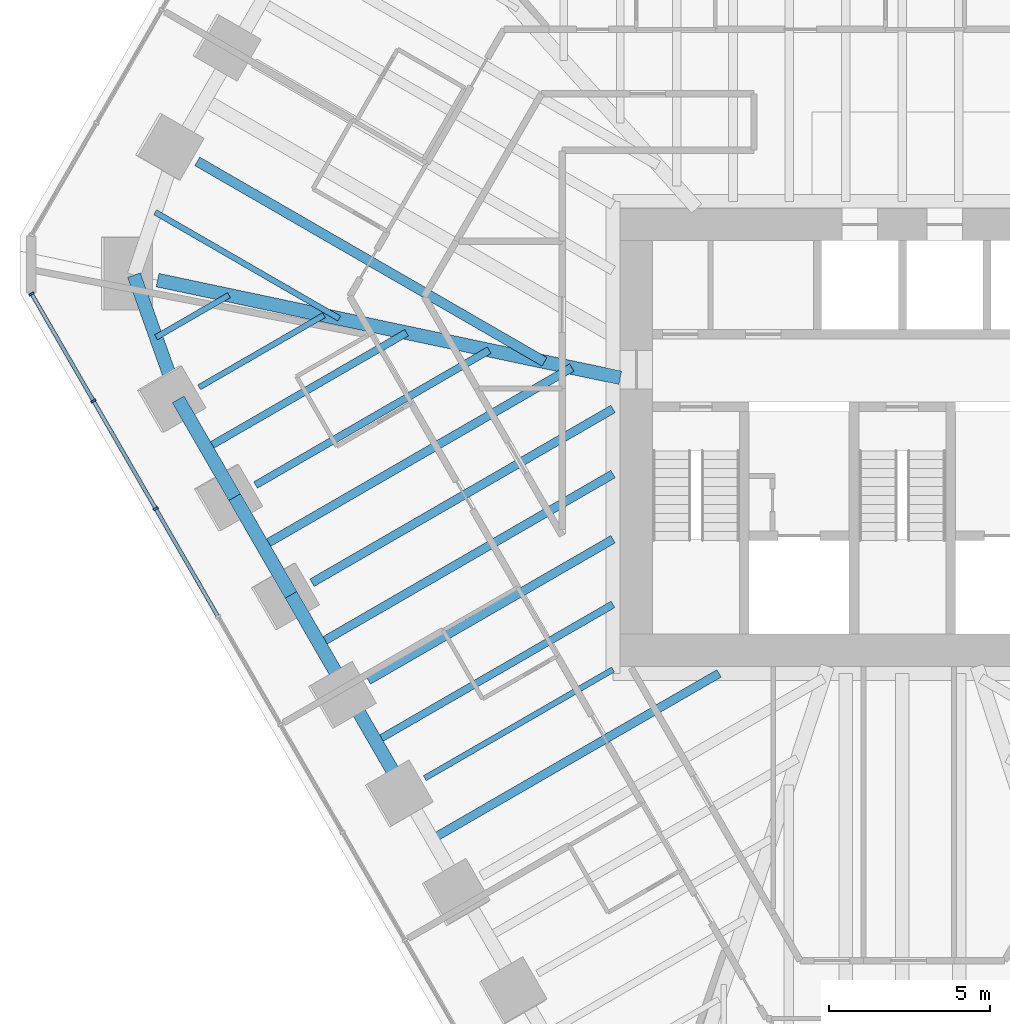
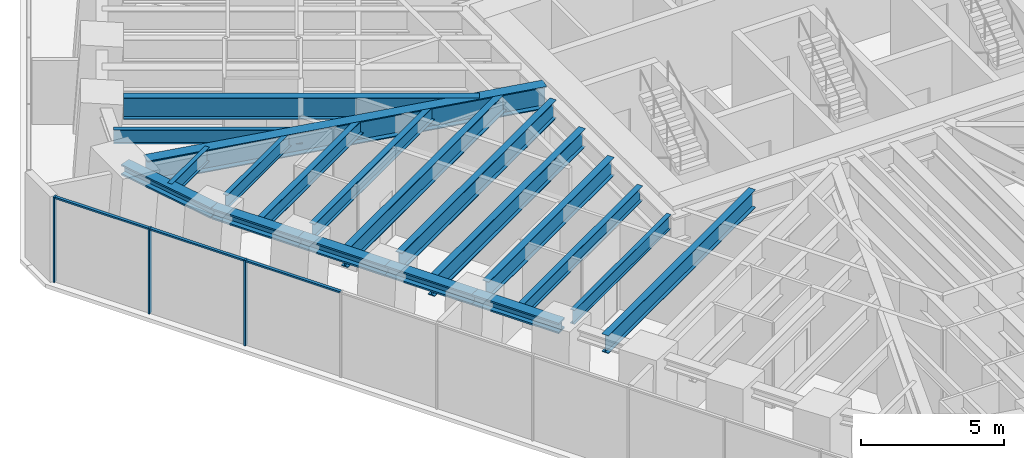
# One storey, part 3 of 16: 19 beams, 6 members, 1 element without a shape of its own.
"""IFC4 building model written with IfcOpenShell, lengths in metres."""

from ifc_helpers import new_model, si_unit, direction, frame, origin, origin_2d, place, context, subcontext, project, spatial, rectangle, i_section, extrude, material, material_profile, profile_set, type_object, element, aggregate, save


model = new_model("IFC4")

# Units and contexts
model_context = context("Model", 3, precision=1e-05, world=origin(), true_north=direction((0.0, 1.0)))
body_context = subcontext(model_context, "Body", "Model", "MODEL_VIEW")
ifc_project = project(units=[si_unit("LENGTHUNIT", "METRE"), si_unit("AREAUNIT", "SQUARE_METRE"), si_unit("VOLUMEUNIT", "CUBIC_METRE"), si_unit("PLANEANGLEUNIT", "RADIAN"), si_unit("MASSUNIT", "GRAM", prefix="KILO")], contexts=[model_context])

# Site, building, storey
site_placement = place(None, origin())
site = spatial("IfcSite", under=ifc_project, at=site_placement, CompositionType="ELEMENT")
building_placement = place(site_placement, origin())
building = spatial("IfcBuilding", under=site, at=building_placement, Name="Sandreach Pilgrim Tower", CompositionType="ELEMENT")
storey_placement = place(building_placement, frame((0.0, 0.0, 247.800048828125)))
storey = spatial("IfcBuildingStorey", under=building, at=storey_placement, Name="L62", CompositionType="ELEMENT", Elevation=247.800048828125)

# Beams
ifc_material_1 = material(Name="Steel ASTM A913 Grade 65", Category="steel")
ifc_material_profile_1 = material_profile(ifc_material_1, i_section(OverallWidth=0.419189453125, OverallDepth=0.45458984375, WebThickness=0.042236328125, FlangeThickness=0.067626953125, at=origin_2d()), Name="W14X370")
ifc_profile_set_1 = profile_set([ifc_material_profile_1], Name="Steel ASTM A913 Grade 65")
beam_type_1 = type_object("IfcBeamType", Name="Belt truss chord W14X370", PredefinedType="BEAM", material=ifc_profile_set_1)
for number, where, z_axis, x_axis, name in (
    (1, (-15.459716796875, -10.9462890625, 3.41259765625), (-0.499957956484, 0.866049676259, 0.0), (-0.866049676259, -0.499957956484, 0.0), "BM L62 BTB30"),
    (2, (-17.20947265625, -7.915283203125, 3.41259765625), (-0.500040482552, 0.866002029911, 0.0), (-0.866002029911, -0.500040482552, 0.0), "BM L62 BTB31"),
):
    element("IfcBeam", number, at=place(storey_placement, frame(where, z_axis=z_axis, x_axis=x_axis)), inside=storey, type_object=beam_type_1, Name=name, PredefinedType="BEAM", context=body_context, shape_type="SweptSolid", body=[
        extrude(i_section(OverallWidth=0.419189453125, OverallDepth=0.45458984375, WebThickness=0.042236328125, FlangeThickness=0.067626953125, at=origin_2d()), origin(), (0.0, 0.0, 1.0), 3.499755859375),
    ])
beam_1_placement = place(storey_placement, frame((-18.95947265625, -4.884521484375, 3.41259765625), z_axis=(-0.500010275428, 0.866019471182, 0.0), x_axis=(-0.866019471182, -0.500010275428, 0.0)))
element("IfcBeam", 3, at=beam_1_placement, inside=storey, type_object=beam_type_1, Name="BM L62 BTB32", PredefinedType="BEAM", context=body_context, shape_type="SweptSolid", body=[
    extrude(i_section(OverallWidth=0.419189453125, OverallDepth=0.45458984375, WebThickness=0.042236328125, FlangeThickness=0.067626953125, at=origin_2d()), origin(), (0.0, 0.0, 1.0), 3.5),
])
beam_2_placement = place(storey_placement, frame((-20.70947265625, -1.853515625, 3.41259765625), z_axis=(-0.499957956484, 0.866049676259, 0.0), x_axis=(-0.866049676259, -0.499957956484, 0.0)))
element("IfcBeam", 4, at=beam_2_placement, inside=storey, type_object=beam_type_1, Name="BM L62 BTB33", PredefinedType="BEAM", context=body_context, shape_type="SweptSolid", body=[
    extrude(i_section(OverallWidth=0.419189453125, OverallDepth=0.45458984375, WebThickness=0.042236328125, FlangeThickness=0.067626953125, at=origin_2d()), origin(), (0.0, 0.0, 1.0), 3.499755859375),
])
beam_3_placement = place(storey_placement, frame((-22.459228515625, 1.177490234375, 3.41259765625), z_axis=(-0.335584069729, 0.942010261167, 0.0), x_axis=(-0.942010261167, -0.335584069729, 0.0)))
element("IfcBeam", 5, at=beam_3_placement, inside=storey, type_object=beam_type_1, Name="BM L62 BTB34", PredefinedType="BEAM", context=body_context, shape_type="SweptSolid", body=[
    extrude(i_section(OverallWidth=0.419189453125, OverallDepth=0.45458984375, WebThickness=0.042236328125, FlangeThickness=0.067626953125, at=origin_2d()), origin(), (0.0, 0.0, 1.0), 4.091552734375),
])

# Curtain wall, members
ifc_material_2 = material(Name="Aluminium framed curtain wall", Category="aluminium")
curtain_wall_type = type_object("IfcCurtainWallType", Name="Upper hotel tower curtain wall", PredefinedType="NOTDEFINED", material=ifc_material_2)
curtain_wall_placement = place(storey_placement, origin())
curtain_wall = element("IfcCurtainWall", 6, at=curtain_wall_placement, inside=storey, type_object=curtain_wall_type, Name="CW-3 L62 SW", PredefinedType="NOTDEFINED")
ifc_material_3 = material(Name="Aluminium extrusion", Category="aluminium")
ifc_material_profile_2 = material_profile(ifc_material_3, rectangle(XDim=0.06494140625, YDim=0.159912109375, at=origin_2d()), Name="CW-3M 65X160")
ifc_profile_set_2 = profile_set([ifc_material_profile_2], Name="Aluminium extrusion")
member_type_1 = type_object("IfcMemberType", Name="CW-3 mullion", PredefinedType="MULLION", material=ifc_profile_set_2)
member_1_placement = place(storey_placement, frame((-23.15576171875, -2.21337890625, 0.0), z_axis=(0.0, 0.0, 1.0), x_axis=(-0.5, 0.866025403784, 0.0)))
member_1 = element("IfcMember", 7, at=member_1_placement, type_object=member_type_1, Name="CW-3 mullion 8", PredefinedType="MULLION", context=body_context, shape_type="SweptSolid", body=[
    extrude(rectangle(XDim=0.06494140625, YDim=0.159912109375, at=origin_2d()), origin(), (0.0, 0.0, 1.0), 3.639892578125),
])
member_2_placement = place(storey_placement, frame((-25.087890625, 1.13330078125, 0.0), z_axis=(0.0, 0.0, 1.0), x_axis=(-0.5, 0.866025403784, 0.0)))
member_2 = element("IfcMember", 8, at=member_2_placement, type_object=member_type_1, Name="CW-3 mullion 9", PredefinedType="MULLION", context=body_context, shape_type="SweptSolid", body=[
    extrude(rectangle(XDim=0.06494140625, YDim=0.159912109375, at=origin_2d()), origin(), (0.0, 0.0, 1.0), 3.639892578125),
])
member_3_placement = place(storey_placement, frame((-27.00390625, 4.451904296875, 0.0), z_axis=(0.0, 0.0, 1.0), x_axis=(-0.5, 0.866025403784, 0.0)))
member_3 = element("IfcMember", 9, at=member_3_placement, type_object=member_type_1, Name="CW-3 mullion 10", PredefinedType="MULLION", context=body_context, shape_type="SweptSolid", body=[
    extrude(rectangle(XDim=0.06494140625, YDim=0.159912109375, at=origin_2d()), origin(), (0.0, 0.0, 1.0), 3.639892578125),
])
ifc_material_4 = material(Name="Aluminium extrusion", Category="aluminium")
ifc_material_profile_3 = material_profile(ifc_material_4, rectangle(XDim=0.1201171875, YDim=0.070068359375, at=origin_2d()), Name="CW-3T 120X70")
ifc_profile_set_3 = profile_set([ifc_material_profile_3], Name="Aluminium extrusion")
member_type_2 = type_object("IfcMemberType", Name="CW-3 transom", PredefinedType="USERDEFINED", material=ifc_profile_set_3)
member_4_placement = place(storey_placement, frame((-21.23974609375, -5.531982421875, 3.60498046875), z_axis=(-0.499974606132, 0.866040064445, 0.0), x_axis=(-0.866040064445, -0.499974606132, 0.0)))
member_4 = element("IfcMember", 10, at=member_4_placement, type_object=member_type_2, Name="CW-3 head transom 7", ObjectType="TRANSOM", PredefinedType="USERDEFINED", context=body_context, shape_type="SweptSolid", body=[
    extrude(rectangle(XDim=0.1201171875, YDim=0.070068359375, at=origin_2d()), origin(), (0.0, 0.0, 1.0), 3.799560546875),
])
member_5_placement = place(storey_placement, frame((-23.171875, -2.185302734375, 3.60498046875), z_axis=(-0.500022797313, 0.86601224135, 0.0), x_axis=(-0.86601224135, -0.500022797313, 0.0)))
member_5 = element("IfcMember", 11, at=member_5_placement, type_object=member_type_2, Name="CW-3 head transom 8", ObjectType="TRANSOM", PredefinedType="USERDEFINED", context=body_context, shape_type="SweptSolid", body=[
    extrude(rectangle(XDim=0.1201171875, YDim=0.070068359375, at=origin_2d()), origin(), (0.0, 0.0, 1.0), 3.799560546875),
])
member_6_placement = place(storey_placement, frame((-25.104248046875, 1.161376953125, 3.60498046875), z_axis=(-0.499944992379, 0.86605716012, 0.0), x_axis=(-0.86605716012, -0.499944992379, 0.0)))
member_6 = element("IfcMember", 12, at=member_6_placement, type_object=member_type_2, Name="CW-3 head transom 9", ObjectType="TRANSOM", PredefinedType="USERDEFINED", context=body_context, shape_type="SweptSolid", body=[
    extrude(rectangle(XDim=0.1201171875, YDim=0.070068359375, at=origin_2d()), origin(), (0.0, 0.0, 1.0), 3.76708984375),
])
aggregate(curtain_wall, [member_1, member_2, member_3, member_4, member_5, member_6])

# Beams
ifc_material_5 = material(Name="Steel ASTM A992 Grade 50", Category="steel")
ifc_material_profile_4 = material_profile(ifc_material_5, i_section(OverallWidth=0.424072265625, OverallDepth=0.947509765625, WebThickness=0.02392578125, FlangeThickness=0.042724609375, at=origin_2d()), Name="W36X302")
ifc_profile_set_4 = profile_set([ifc_material_profile_4], Name="Steel ASTM A992 Grade 50")
beam_type_2 = type_object("IfcBeamType", Name="Corner girder W36X302", PredefinedType="BEAM", material=ifc_profile_set_4)
beam_4_placement = place(storey_placement, frame((-23.098388671875, 4.876708984375, 3.166259765625), z_axis=(0.978431629776, -0.206570922092, 0.0), x_axis=(0.206570922092, 0.978431629776, 0.0)))
element("IfcBeam", 13, at=beam_4_placement, inside=storey, type_object=beam_type_2, Name="BM L62 CG35", PredefinedType="BEAM", context=body_context, shape_type="SweptSolid", body=[
    extrude(i_section(OverallWidth=0.424072265625, OverallDepth=0.947509765625, WebThickness=0.02392578125, FlangeThickness=0.042724609375, at=origin_2d()), origin(), (0.0, 0.0, 1.0), 14.664794921875),
])
ifc_material_6 = material(Name="Steel ASTM A992 Grade 50", Category="steel")
ifc_material_profile_5 = material_profile(ifc_material_6, i_section(OverallWidth=0.1787109375, OverallDepth=0.60205078125, WebThickness=0.010986328125, FlangeThickness=0.014892578125, at=origin_2d()), Name="W24X62")
ifc_profile_set_5 = profile_set([ifc_material_profile_5], Name="Steel ASTM A992 Grade 50")
beam_type_3 = type_object("IfcBeamType", Name="Floor beam W24X62", PredefinedType="BEAM", material=ifc_profile_set_5)
beam_5_placement = place(storey_placement, frame((-14.81005859375, -10.5712890625, 3.3388671875), z_axis=(0.866019125066, 0.500010874902, 0.0), x_axis=(-0.500010874902, 0.866019125066, 0.0)))
element("IfcBeam", 14, at=beam_5_placement, inside=storey, type_object=beam_type_3, Name="BM L62 F30", PredefinedType="BEAM", context=body_context, shape_type="SweptSolid", body=[
    extrude(i_section(OverallWidth=0.1787109375, OverallDepth=0.60205078125, WebThickness=0.010986328125, FlangeThickness=0.014892578125, at=origin_2d()), origin(), (0.0, 0.0, 1.0), 6.740966796875),
])
beam_6_placement = place(storey_placement, frame((-21.809814453125, 1.552490234375, 3.3388671875), z_axis=(0.866050074364, 0.499957266868, 0.0), x_axis=(-0.499957266868, 0.866050074364, 0.0)))
element("IfcBeam", 15, at=beam_6_placement, inside=storey, type_object=beam_type_3, Name="BM L62 F34", PredefinedType="BEAM", context=body_context, shape_type="SweptSolid", body=[
    extrude(i_section(OverallWidth=0.1787109375, OverallDepth=0.60205078125, WebThickness=0.010986328125, FlangeThickness=0.014892578125, at=origin_2d()), origin(), (0.0, 0.0, 1.0), 4.47021484375),
])
beam_7_placement = place(storey_placement, frame((-23.145751953125, 3.1044921875, 3.3388671875), z_axis=(0.866012692104, 0.500022016631, 0.0), x_axis=(-0.500022016631, 0.866012692104, 0.0)))
element("IfcBeam", 16, at=beam_7_placement, inside=storey, type_object=beam_type_3, Name="BM L62 FM34", PredefinedType="BEAM", context=body_context, shape_type="SweptSolid", body=[
    extrude(i_section(OverallWidth=0.1787109375, OverallDepth=0.60205078125, WebThickness=0.010986328125, FlangeThickness=0.014892578125, at=origin_2d()), origin(), (0.0, 0.0, 1.0), 2.6103515625),
])
beam_8_placement = place(storey_placement, frame((-23.174072265625, 6.983642578125, 3.3388671875), z_axis=(0.866021534058, -0.500006702503, 0.0), x_axis=(0.500006702503, 0.866021534058, 0.0)))
element("IfcBeam", 17, at=beam_8_placement, inside=storey, type_object=beam_type_3, Name="BM L62 FM35", PredefinedType="BEAM", context=body_context, shape_type="SweptSolid", body=[
    extrude(i_section(OverallWidth=0.1787109375, OverallDepth=0.60205078125, WebThickness=0.010986328125, FlangeThickness=0.014892578125, at=origin_2d()), origin(), (0.0, 0.0, 1.0), 6.59228515625),
])
ifc_material_7 = material(Name="Steel ASTM A992 Grade 50", Category="steel")
ifc_material_profile_6 = material_profile(ifc_material_7, i_section(OverallWidth=0.23046875, OverallDepth=0.6171875, WebThickness=0.01318359375, FlangeThickness=0.022216796875, at=origin_2d()), Name="W24X94")
ifc_profile_set_6 = profile_set([ifc_material_profile_6], Name="Steel ASTM A992 Grade 50")
beam_type_4 = type_object("IfcBeamType", Name="Floor beam W24X94", PredefinedType="BEAM", material=ifc_profile_set_6)
beam_9_placement = place(storey_placement, frame((-20.059814453125, -1.478515625, 3.331298828125), z_axis=(0.866024275449, 0.500001954328, 0.0), x_axis=(-0.500001954328, 0.866024275449, 0.0)))
element("IfcBeam", 18, at=beam_9_placement, inside=storey, type_object=beam_type_4, Name="BM L62 F33", PredefinedType="BEAM", context=body_context, shape_type="SweptSolid", body=[
    extrude(i_section(OverallWidth=0.23046875, OverallDepth=0.6171875, WebThickness=0.01318359375, FlangeThickness=0.022216796875, at=origin_2d()), origin(), (0.0, 0.0, 1.0), 8.36767578125),
])
beam_10_placement = place(storey_placement, frame((-16.334716796875, -9.430908203125, 3.331298828125), z_axis=(0.86601485975, 0.500018262359, 0.0), x_axis=(-0.500018262359, 0.86601485975, 0.0)))
element("IfcBeam", 19, at=beam_10_placement, inside=storey, type_object=beam_type_4, Name="BM L62 FM30", PredefinedType="BEAM", context=body_context, shape_type="SweptSolid", body=[
    extrude(i_section(OverallWidth=0.23046875, OverallDepth=0.6171875, WebThickness=0.01318359375, FlangeThickness=0.022216796875, at=origin_2d()), origin(), (0.0, 0.0, 1.0), 8.501708984375),
])
beam_11_placement = place(storey_placement, frame((-21.584228515625, -0.338134765625, 3.331298828125), z_axis=(0.866017145387, 0.500014303691, 0.0), x_axis=(-0.500014303691, 0.866017145387, 0.0)))
element("IfcBeam", 20, at=beam_11_placement, inside=storey, type_object=beam_type_4, Name="BM L62 FM33", PredefinedType="BEAM", context=body_context, shape_type="SweptSolid", body=[
    extrude(i_section(OverallWidth=0.23046875, OverallDepth=0.6171875, WebThickness=0.01318359375, FlangeThickness=0.022216796875, at=origin_2d()), origin(), (0.0, 0.0, 1.0), 7.168701171875),
])
ifc_material_8 = material(Name="Steel ASTM A992 Grade 50", Category="steel")
ifc_material_profile_7 = material_profile(ifc_material_8, i_section(OverallWidth=0.2666015625, OverallDepth=0.761962890625, WebThickness=0.014404296875, FlangeThickness=0.021484375, at=origin_2d()), Name="W30X116")
ifc_profile_set_7 = profile_set([ifc_material_profile_7], Name="Steel ASTM A992 Grade 50")
beam_type_5 = type_object("IfcBeamType", Name="Floor beam W30X116", PredefinedType="BEAM", material=ifc_profile_set_7)
beam_12_placement = place(storey_placement, frame((-16.56005859375, -7.540283203125, 3.259033203125), z_axis=(0.866025963225, 0.49999903102, 0.0), x_axis=(-0.49999903102, 0.866025963225, 0.0)))
element("IfcBeam", 21, at=beam_12_placement, inside=storey, type_object=beam_type_5, Name="BM L62 F31", PredefinedType="BEAM", context=body_context, shape_type="SweptSolid", body=[
    extrude(i_section(OverallWidth=0.2666015625, OverallDepth=0.761962890625, WebThickness=0.014404296875, FlangeThickness=0.021484375, at=origin_2d()), origin(), (0.0, 0.0, 1.0), 8.76171875),
])
beam_13_placement = place(storey_placement, frame((-14.584716796875, -12.461669921875, 3.259033203125), z_axis=(0.866024610502, 0.500001374003, 0.0), x_axis=(-0.500001374003, 0.866024610502, 0.0)))
element("IfcBeam", 22, at=beam_13_placement, inside=storey, type_object=beam_type_5, Name="BM L62 FM29", PredefinedType="BEAM", context=body_context, shape_type="SweptSolid", body=[
    extrude(i_section(OverallWidth=0.2666015625, OverallDepth=0.761962890625, WebThickness=0.014404296875, FlangeThickness=0.021484375, at=origin_2d()), origin(), (0.0, 0.0, 1.0), 10.279296875),
])
ifc_material_9 = material(Name="Steel ASTM A992 Grade 50", Category="steel")
ifc_material_profile_8 = material_profile(ifc_material_9, i_section(OverallWidth=0.2666015625, OverallDepth=0.77978515625, WebThickness=0.0166015625, FlangeThickness=0.030029296875, at=origin_2d()), Name="W30X148")
ifc_profile_set_8 = profile_set([ifc_material_profile_8], Name="Steel ASTM A992 Grade 50")
beam_type_6 = type_object("IfcBeamType", Name="Floor beam W30X148", PredefinedType="BEAM", material=ifc_profile_set_8)
beam_14_placement = place(storey_placement, frame((-18.31005859375, -4.509521484375, 3.25), z_axis=(0.866020433863, 0.500008608058, 0.0), x_axis=(-0.500008608058, 0.866020433863, 0.0)))
element("IfcBeam", 23, at=beam_14_placement, inside=storey, type_object=beam_type_6, Name="BM L62 F32", PredefinedType="BEAM", context=body_context, shape_type="SweptSolid", body=[
    extrude(i_section(OverallWidth=0.2666015625, OverallDepth=0.77978515625, WebThickness=0.0166015625, FlangeThickness=0.030029296875, at=origin_2d()), origin(), (0.0, 0.0, 1.0), 10.782470703125),
])
beam_15_placement = place(storey_placement, frame((-18.08447265625, -6.39990234375, 3.25), z_axis=(0.866025619268, 0.499999626771, 0.0), x_axis=(-0.499999626771, 0.866025619268, 0.0)))
element("IfcBeam", 24, at=beam_15_placement, inside=storey, type_object=beam_type_6, Name="BM L62 FM31", PredefinedType="BEAM", context=body_context, shape_type="SweptSolid", body=[
    extrude(i_section(OverallWidth=0.2666015625, OverallDepth=0.77978515625, WebThickness=0.0166015625, FlangeThickness=0.030029296875, at=origin_2d()), origin(), (0.0, 0.0, 1.0), 10.52197265625),
])
beam_16_placement = place(storey_placement, frame((-19.83447265625, -3.368896484375, 3.25), z_axis=(0.86602981871, 0.499992353047, 0.0), x_axis=(-0.499992353047, 0.86602981871, 0.0)))
element("IfcBeam", 25, at=beam_16_placement, inside=storey, type_object=beam_type_6, Name="BM L62 FM32", PredefinedType="BEAM", context=body_context, shape_type="SweptSolid", body=[
    extrude(i_section(OverallWidth=0.2666015625, OverallDepth=0.77978515625, WebThickness=0.0166015625, FlangeThickness=0.030029296875, at=origin_2d()), origin(), (0.0, 0.0, 1.0), 11.066650390625),
])
ifc_material_10 = material(Name="Steel ASTM A992 Grade 50", Category="steel")
ifc_material_profile_9 = material_profile(ifc_material_10, i_section(OverallWidth=0.3046875, OverallDepth=0.914306640625, WebThickness=0.0166015625, FlangeThickness=0.02587890625, at=origin_2d()), Name="W36X160")
ifc_profile_set_9 = profile_set([ifc_material_profile_9], Name="Steel ASTM A992 Grade 50")
beam_type_7 = type_object("IfcBeamType", Name="Floor beam W36X160", PredefinedType="BEAM", material=ifc_profile_set_9)
beam_17_placement = place(storey_placement, frame((-21.866455078125, 8.560302734375, 3.182861328125), z_axis=(0.866031913407, -0.499988724833, 0.0), x_axis=(0.499988724833, 0.866031913407, 0.0)))
element("IfcBeam", 26, at=beam_17_placement, inside=storey, type_object=beam_type_7, Name="BM L62 F36", PredefinedType="BEAM", context=body_context, shape_type="SweptSolid", body=[
    extrude(i_section(OverallWidth=0.3046875, OverallDepth=0.914306640625, WebThickness=0.0166015625, FlangeThickness=0.02587890625, at=origin_2d()), origin(), (0.0, 0.0, 1.0), 12.434326171875),
])

save(model, "model.ifc")
